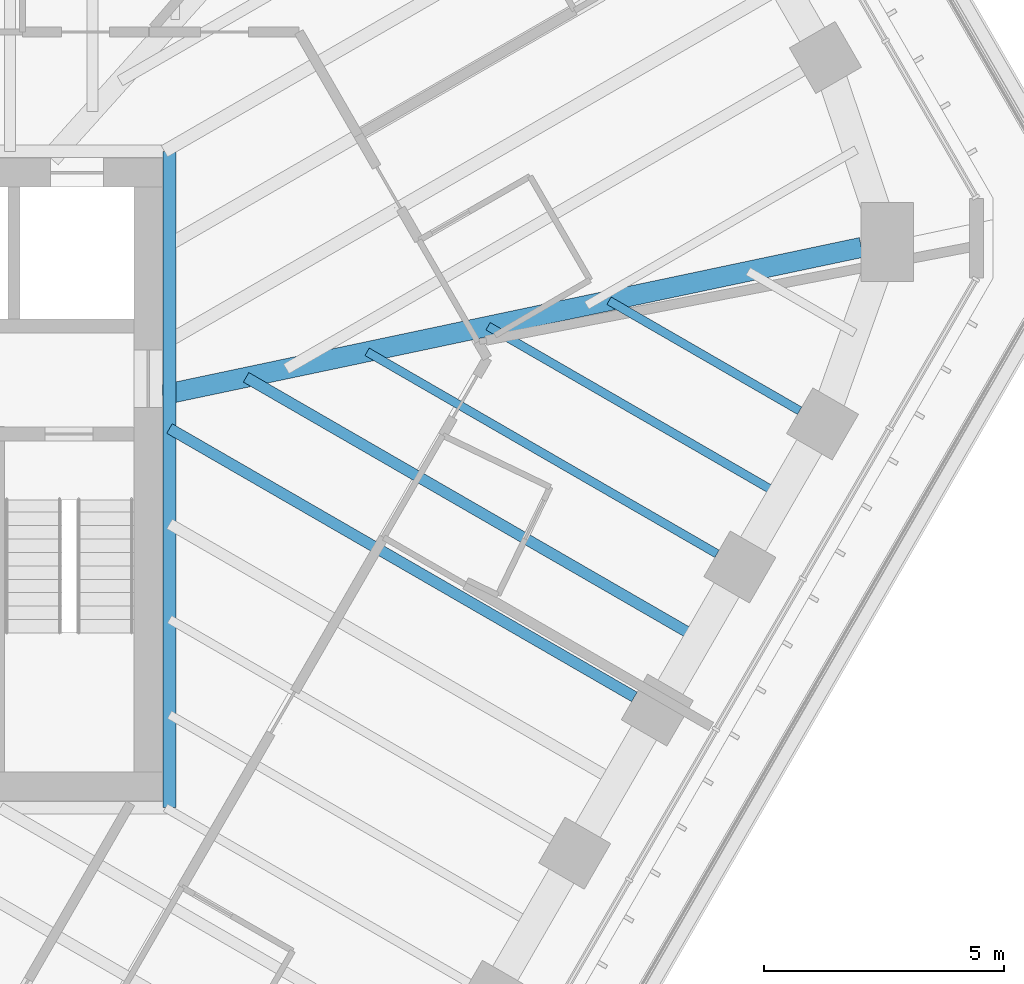
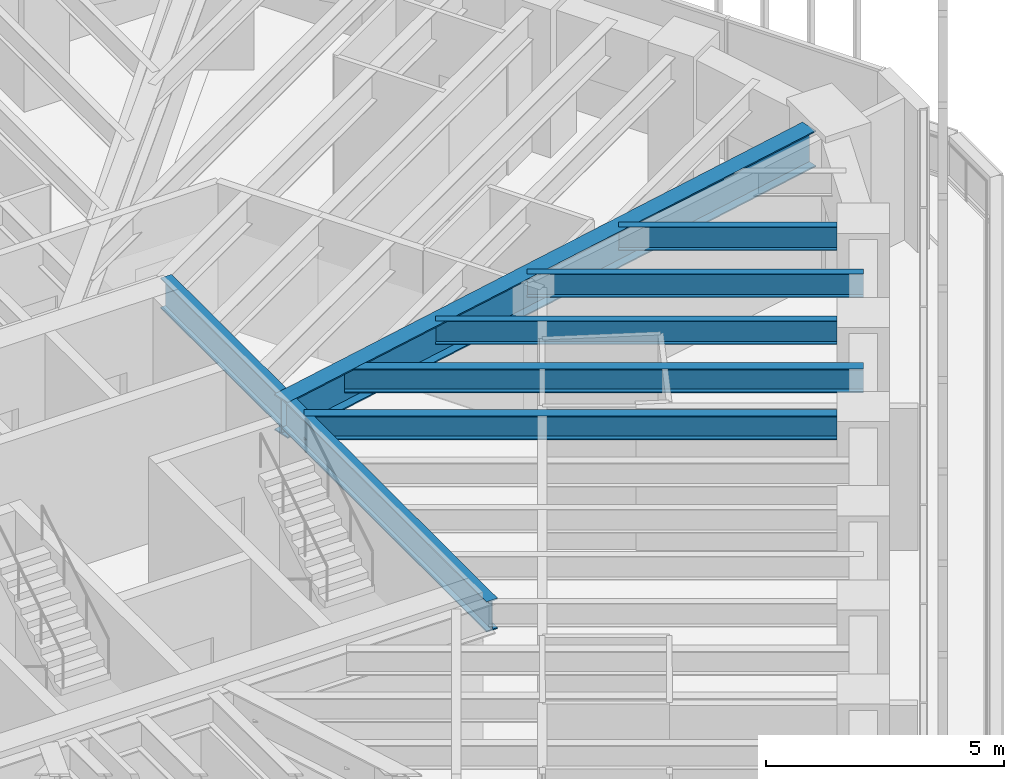
# One storey, part 48 of 127: 7 beams.
"""IFC4 building model written with IfcOpenShell, lengths in metres."""

from ifc_helpers import new_model, si_unit, direction, frame, origin, origin_2d, place, context, subcontext, project, spatial, i_section, extrude, material, material_profile, profile_set, type_object, element, save


model = new_model("IFC4")

# Units and contexts
model_context = context("Model", 3, precision=1e-05, world=origin(), true_north=direction((0.0, 1.0)))
body_context = subcontext(model_context, "Body", "Model", "MODEL_VIEW")
ifc_project = project(units=[si_unit("LENGTHUNIT", "METRE"), si_unit("AREAUNIT", "SQUARE_METRE"), si_unit("VOLUMEUNIT", "CUBIC_METRE"), si_unit("PLANEANGLEUNIT", "RADIAN"), si_unit("MASSUNIT", "GRAM", prefix="KILO")], contexts=[model_context])

# Site, building, storey
site_placement = place(None, origin())
site = spatial("IfcSite", under=ifc_project, at=site_placement, CompositionType="ELEMENT")
building_placement = place(site_placement, origin())
building = spatial("IfcBuilding", under=site, at=building_placement, Name="Sandreach Pilgrim Tower", CompositionType="ELEMENT")
storey_placement = place(building_placement, frame((0.0, 0.0, 257.0)))
storey = spatial("IfcBuildingStorey", under=building, at=storey_placement, Name="L64", CompositionType="ELEMENT", Elevation=257.0)

# Beams
ifc_material_1 = material(Name="Steel ASTM A992 Grade 50", Category="steel")
ifc_material_profile_1 = material_profile(ifc_material_1, i_section(OverallWidth=0.2666015625, OverallDepth=0.77978515625, WebThickness=0.0166015625, FlangeThickness=0.030029296875, at=origin_2d()), Name="W30X148")
ifc_profile_set_1 = profile_set([ifc_material_profile_1], Name="Steel ASTM A992 Grade 50")
beam_type_1 = type_object("IfcBeamType", Name="Core edge beam W30X148", PredefinedType="BEAM", material=ifc_profile_set_1)
beam_1_placement = place(storey_placement, frame((8.493408203125, 6.84326171875, 3.25), z_axis=(0.0, -1.0, 0.0), x_axis=(1.0, 0.0, 0.0)))
element("IfcBeam", 1, at=beam_1_placement, inside=storey, type_object=beam_type_1, Name="BM L64 CEE", PredefinedType="BEAM", context=body_context, shape_type="SweptSolid", body=[
    extrude(i_section(OverallWidth=0.2666015625, OverallDepth=0.77978515625, WebThickness=0.0166015625, FlangeThickness=0.030029296875, at=origin_2d()), origin(), (0.0, 0.0, 1.0), 13.6865234375),
])
ifc_material_2 = material(Name="Steel ASTM A992 Grade 50", Category="steel")
ifc_material_profile_2 = material_profile(ifc_material_2, i_section(OverallWidth=0.419189453125, OverallDepth=0.927001953125, WebThickness=0.019287109375, FlangeThickness=0.031982421875, at=origin_2d()), Name="W36X231")
ifc_profile_set_2 = profile_set([ifc_material_profile_2], Name="Steel ASTM A992 Grade 50")
beam_type_2 = type_object("IfcBeamType", Name="Corner girder W36X231", PredefinedType="BEAM", material=ifc_profile_set_2)
beam_2_placement = place(storey_placement, frame((22.917724609375, 4.838623046875, 3.176513671875), z_axis=(-0.978430270369, -0.206577360876, 0.0), x_axis=(0.206577360876, -0.978430270369, 0.0)))
element("IfcBeam", 2, at=beam_2_placement, inside=storey, type_object=beam_type_2, Name="BM L64 CG13", PredefinedType="BEAM", context=body_context, shape_type="SweptSolid", body=[
    extrude(i_section(OverallWidth=0.419189453125, OverallDepth=0.927001953125, WebThickness=0.019287109375, FlangeThickness=0.031982421875, at=origin_2d()), origin(), (0.0, 0.0, 1.0), 14.888671875),
])
ifc_material_3 = material(Name="Steel ASTM A992 Grade 50", Category="steel")
ifc_material_profile_3 = material_profile(ifc_material_3, i_section(OverallWidth=0.1787109375, OverallDepth=0.60205078125, WebThickness=0.010986328125, FlangeThickness=0.014892578125, at=origin_2d()), Name="W24X62")
ifc_profile_set_3 = profile_set([ifc_material_profile_3], Name="Steel ASTM A992 Grade 50")
beam_type_3 = type_object("IfcBeamType", Name="Floor beam W24X62", PredefinedType="BEAM", material=ifc_profile_set_3)
beam_3_placement = place(storey_placement, frame((21.631591796875, 1.433837890625, 3.339111328125), z_axis=(-0.866037621819, 0.499978837146, 0.0), x_axis=(-0.499978837146, -0.866037621819, 0.0)))
element("IfcBeam", 3, at=beam_3_placement, inside=storey, type_object=beam_type_3, Name="BM L64 F14", PredefinedType="BEAM", context=body_context, shape_type="SweptSolid", body=[
    extrude(i_section(OverallWidth=0.1787109375, OverallDepth=0.60205078125, WebThickness=0.010986328125, FlangeThickness=0.014892578125, at=origin_2d()), origin(), (0.0, 0.0, 1.0), 4.588623046875),
])
beam_4_placement = place(storey_placement, frame((19.908935546875, -1.549560546875, 3.339111328125), z_axis=(-0.866026819143, 0.499997548519, 0.0), x_axis=(-0.499997548519, -0.866026819143, 0.0)))
element("IfcBeam", 4, at=beam_4_placement, inside=storey, type_object=beam_type_3, Name="BM L64 F15", PredefinedType="BEAM", context=body_context, shape_type="SweptSolid", body=[
    extrude(i_section(OverallWidth=0.1787109375, OverallDepth=0.60205078125, WebThickness=0.010986328125, FlangeThickness=0.014892578125, at=origin_2d()), origin(), (0.0, 0.0, 1.0), 8.4248046875),
])
beam_5_placement = place(storey_placement, frame((21.24658203125, -0.332763671875, 3.339111328125), z_axis=(-0.866028878405, 0.499993981732, 0.0), x_axis=(-0.499993981732, -0.866028878405, 0.0)))
element("IfcBeam", 5, at=beam_5_placement, inside=storey, type_object=beam_type_3, Name="BM L64 FM14", PredefinedType="BEAM", context=body_context, shape_type="SweptSolid", body=[
    extrude(i_section(OverallWidth=0.1787109375, OverallDepth=0.60205078125, WebThickness=0.010986328125, FlangeThickness=0.014892578125, at=origin_2d()), origin(), (0.0, 0.0, 1.0), 7.056640625),
])
ifc_material_4 = material(Name="Steel ASTM A992 Grade 50", Category="steel")
ifc_material_profile_4 = material_profile(ifc_material_4, i_section(OverallWidth=0.23046875, OverallDepth=0.6171875, WebThickness=0.01318359375, FlangeThickness=0.022216796875, at=origin_2d()), Name="W24X94")
ifc_profile_set_4 = profile_set([ifc_material_profile_4], Name="Steel ASTM A992 Grade 50")
beam_type_4 = type_object("IfcBeamType", Name="Floor beam W24X94", PredefinedType="BEAM", material=ifc_profile_set_4)
beam_6_placement = place(storey_placement, frame((18.1865234375, -4.532958984375, 3.331298828125), z_axis=(-0.866030482771, 0.499991202833, 0.0), x_axis=(-0.499991202833, -0.866030482771, 0.0)))
element("IfcBeam", 6, at=beam_6_placement, inside=storey, type_object=beam_type_4, Name="BM L64 F16", PredefinedType="BEAM", context=body_context, shape_type="SweptSolid", body=[
    extrude(i_section(OverallWidth=0.23046875, OverallDepth=0.6171875, WebThickness=0.01318359375, FlangeThickness=0.022216796875, at=origin_2d()), origin(), (0.0, 0.0, 1.0), 11.192626953125),
])
beam_7_placement = place(storey_placement, frame((19.52392578125, -3.316162109375, 3.331298828125), z_axis=(-0.866029205616, 0.499993414976, 0.0), x_axis=(-0.499993414976, -0.866029205616, 0.0)))
element("IfcBeam", 7, at=beam_7_placement, inside=storey, type_object=beam_type_4, Name="BM L64 FM15", PredefinedType="BEAM", context=body_context, shape_type="SweptSolid", body=[
    extrude(i_section(OverallWidth=0.23046875, OverallDepth=0.6171875, WebThickness=0.01318359375, FlangeThickness=0.022216796875, at=origin_2d()), origin(), (0.0, 0.0, 1.0), 10.893310546875),
])

save(model, "model.ifc")
